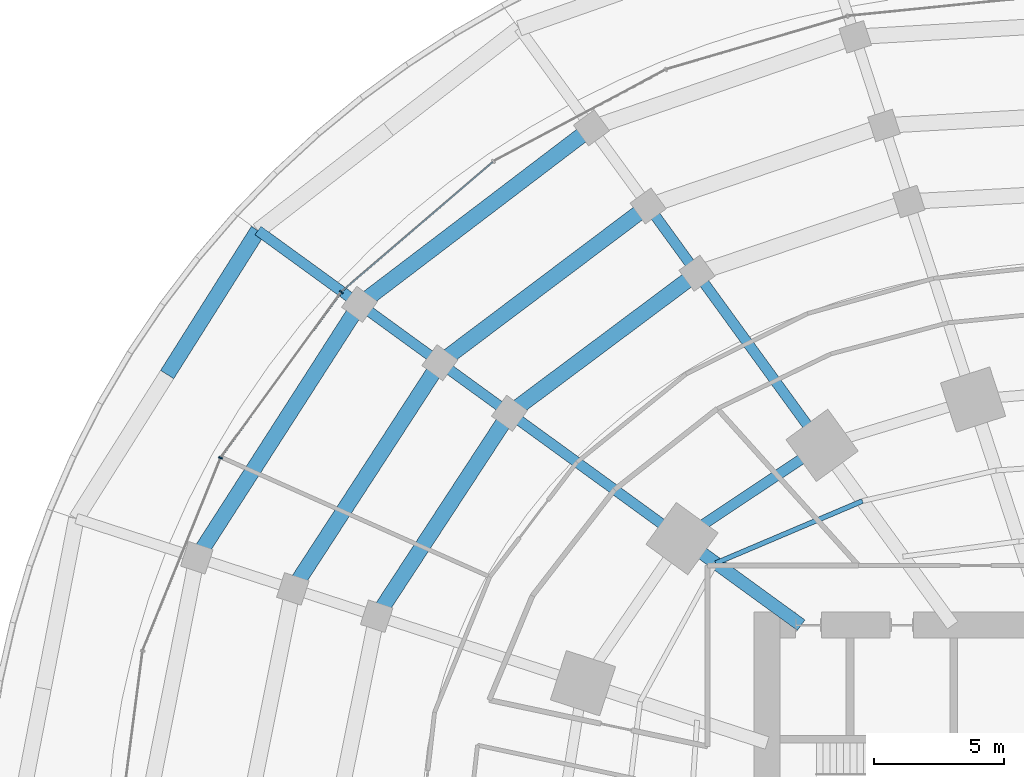
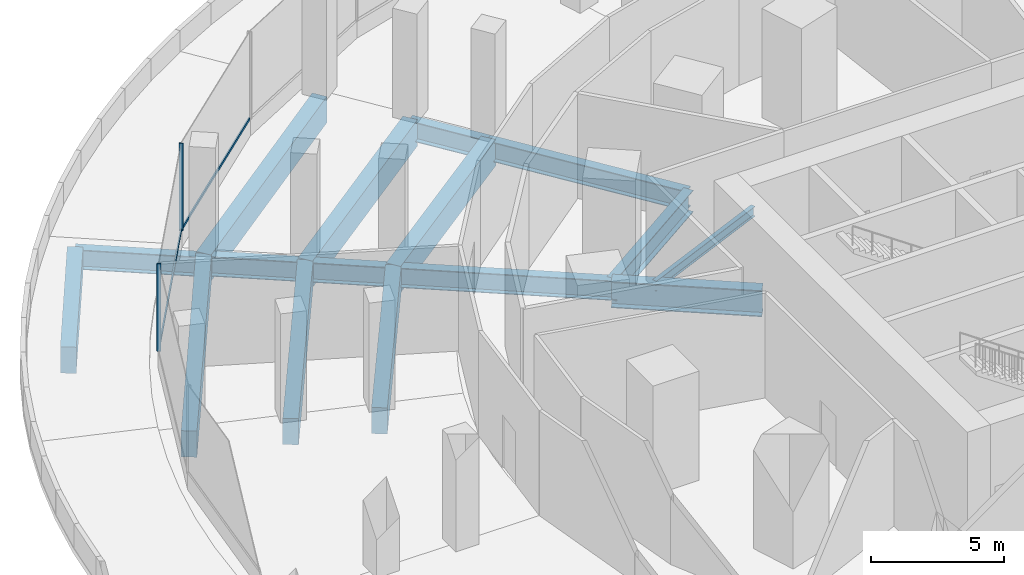
# One storey, part 10 of 31: 16 beams, 4 members, 1 element without a shape of its own.
"""IFC4 building model written with IfcOpenShell, lengths in metres."""

from ifc_helpers import new_model, si_unit, direction, frame, origin, origin_2d, place, context, subcontext, project, spatial, rectangle, i_section, extrude, material, material_profile, profile_set, type_object, element, aggregate, save


model = new_model("IFC4")

# Units and contexts
model_context = context("Model", 3, precision=1e-05, world=origin(), true_north=direction((0.0, 1.0)))
body_context = subcontext(model_context, "Body", "Model", "MODEL_VIEW")
ifc_project = project(units=[si_unit("LENGTHUNIT", "METRE"), si_unit("AREAUNIT", "SQUARE_METRE"), si_unit("VOLUMEUNIT", "CUBIC_METRE"), si_unit("PLANEANGLEUNIT", "RADIAN"), si_unit("MASSUNIT", "GRAM", prefix="KILO")], contexts=[model_context])

# Site, building, storey
site_placement = place(None, origin())
site = spatial("IfcSite", under=ifc_project, at=site_placement, CompositionType="ELEMENT")
building_placement = place(site_placement, origin())
building = spatial("IfcBuilding", under=site, at=building_placement, Name="Marramba Exchange Tower", CompositionType="ELEMENT")
storey_placement = place(building_placement, frame((0.0, 0.0, 5.60009765625)))
storey = spatial("IfcBuildingStorey", under=building, at=storey_placement, Name="L01", CompositionType="ELEMENT", Elevation=5.60009765625)

# Beams
ifc_material_1 = material(Name="Concrete N50", Category="concrete")
ifc_material_profile_1 = material_profile(ifc_material_1, rectangle(XDim=0.60009765625, YDim=1.199951171875, at=origin_2d()), Name="RC 600x1200")
ifc_profile_set_1 = profile_set([ifc_material_profile_1], Name="Concrete N50")
beam_type_1 = type_object("IfcBeamType", Name="Edge beam RC 600x1200 N50", PredefinedType="SPANDREL", material=ifc_profile_set_1)
beam_1_placement = place(storey_placement, frame((-33.35205078125, 24.231689453125, -0.85009765625), z_axis=(-0.533457535763, -0.845826848438, 0.0), x_axis=(0.845826848438, -0.533457535763, 0.0)))
element("IfcBeam", 1, at=beam_1_placement, inside=storey, type_object=beam_type_1, Name="Edge beam L01 P0C09 half 1", PredefinedType="SPANDREL", context=body_context, shape_type="SweptSolid", body=[
    extrude(rectangle(XDim=0.60009765625, YDim=1.199951171875, at=origin_2d()), origin(), (0.0, 0.0, 1.0), 6.571533203125),
])
beam_2_placement = place(storey_placement, frame((-20.482666015625, 28.19189453125, -0.800048828125), z_axis=(-0.795801398517, -0.605557705027, 0.0), x_axis=(0.605557705027, -0.795801398517, 0.0)))
element("IfcBeam", 2, at=beam_2_placement, inside=storey, type_object=beam_type_1, Name="Edge beam L01 P1C08", PredefinedType="SPANDREL", context=body_context, shape_type="SweptSolid", body=[
    extrude(rectangle(XDim=0.60009765625, YDim=1.199951171875, at=origin_2d()), origin(), (0.0, 0.0, 1.0), 11.244384765625),
])
beam_3_placement = place(storey_placement, frame((-29.430908203125, 21.3828125, -0.800048828125), z_axis=(-0.540426316599, -0.841391345526, 0.0), x_axis=(0.841391345526, -0.540426316599, 0.0)))
element("IfcBeam", 3, at=beam_3_placement, inside=storey, type_object=beam_type_1, Name="Edge beam L01 P1C09", PredefinedType="SPANDREL", context=body_context, shape_type="SweptSolid", body=[
    extrude(rectangle(XDim=0.60009765625, YDim=1.199951171875, at=origin_2d()), origin(), (0.0, 0.0, 1.0), 11.622802734375),
])
beam_4_placement = place(storey_placement, frame((-18.29443359375, 25.18017578125, -0.800048828125), z_axis=(-0.799014535073, -0.601311710132, 0.0), x_axis=(0.601311710132, -0.799014535073, 0.0)))
element("IfcBeam", 4, at=beam_4_placement, inside=storey, type_object=beam_type_1, Name="Edge beam L01 P2C08", PredefinedType="SPANDREL", context=body_context, shape_type="SweptSolid", body=[
    extrude(rectangle(XDim=0.60009765625, YDim=1.199951171875, at=origin_2d()), origin(), (0.0, 0.0, 1.0), 10.059326171875),
])
beam_5_placement = place(storey_placement, frame((-26.33203125, 19.13134765625, -0.800048828125), z_axis=(-0.544797972412, -0.838567331379, 0.0), x_axis=(0.838567331379, -0.544797972412, 0.0)))
element("IfcBeam", 5, at=beam_5_placement, inside=storey, type_object=beam_type_1, Name="Edge beam L01 P2C09", PredefinedType="SPANDREL", context=body_context, shape_type="SweptSolid", body=[
    extrude(rectangle(XDim=0.60009765625, YDim=1.199951171875, at=origin_2d()), origin(), (0.0, 0.0, 1.0), 10.413330078125),
])
beam_6_placement = place(storey_placement, frame((-16.40869140625, 22.58447265625, -0.800048828125), z_axis=(-0.801143536075, -0.598472250489, 0.0), x_axis=(0.598472250489, -0.801143536075, 0.0)))
element("IfcBeam", 6, at=beam_6_placement, inside=storey, type_object=beam_type_1, Name="Edge beam L01 P3C08", PredefinedType="SPANDREL", context=body_context, shape_type="SweptSolid", body=[
    extrude(rectangle(XDim=0.60009765625, YDim=1.199951171875, at=origin_2d()), origin(), (0.0, 0.0, 1.0), 9.0322265625),
])
beam_7_placement = place(storey_placement, frame((-23.644775390625, 17.178955078125, -0.800048828125), z_axis=(-0.547649213564, -0.836708036822, 0.0), x_axis=(0.836708036822, -0.547649213564, 0.0)))
element("IfcBeam", 7, at=beam_7_placement, inside=storey, type_object=beam_type_1, Name="Edge beam L01 P3C09", PredefinedType="SPANDREL", context=body_context, shape_type="SweptSolid", body=[
    extrude(rectangle(XDim=0.60009765625, YDim=1.199951171875, at=origin_2d()), origin(), (0.0, 0.0, 1.0), 9.359130859375),
])
ifc_material_2 = material(Name="Steel AS/NZS 3679.1 grade 300", Category="steel")
ifc_material_profile_2 = material_profile(ifc_material_2, i_section(OverallWidth=0.18994140625, OverallDepth=0.4541015625, WebThickness=0.008544921875, FlangeThickness=0.0126953125, FilletRadius=0.011474609375, at=origin_2d()), Name="460UB67.1")
ifc_profile_set_2 = profile_set([ifc_material_profile_2], Name="Steel AS/NZS 3679.1 grade 300")
beam_type_2 = type_object("IfcBeamType", Name="Floor joist 460UB67.1", PredefinedType="JOIST", material=ifc_profile_set_2)
beam_8_placement = place(storey_placement, frame((-10.021728515625, 13.793701171875, -0.427001953125), z_axis=(-0.920674336375, -0.390331610738, 0.0), x_axis=(0.390331610738, -0.920674336375, 0.0)))
element("IfcBeam", 8, at=beam_8_placement, inside=storey, type_object=beam_type_2, Name="Joist L01 bay 08 row 2", PredefinedType="JOIST", context=body_context, shape_type="SweptSolid", body=[
    extrude(i_section(OverallWidth=0.18994140625, OverallDepth=0.4541015625, WebThickness=0.008544921875, FlangeThickness=0.0126953125, FilletRadius=0.011474609375, at=origin_2d()), origin(), (0.0, 0.0, 1.0), 6.1484375),
])

# Curtain wall, members
ifc_material_3 = material(Name="Aluminium framing, bronze anodised", Category="aluminium")
curtain_wall_type = type_object("IfcCurtainWallType", Name="Podium ribbon curtain wall", PredefinedType="USERDEFINED", material=ifc_material_3)
curtain_wall_placement = place(storey_placement, origin())
curtain_wall = element("IfcCurtainWall", 9, at=curtain_wall_placement, inside=storey, type_object=curtain_wall_type, Name="Curtain wall CW2 L01 F11-F15", ObjectType="RIBBON CURTAIN WALL", PredefinedType="USERDEFINED")
ifc_material_4 = material(Name="Aluminium mullion, bronze anodised", Category="aluminium")
ifc_material_profile_3 = material_profile(ifc_material_4, rectangle(XDim=0.159912109375, YDim=0.06005859375, at=origin_2d()), Name="CW2 mullion 60x160")
ifc_profile_set_3 = profile_set([ifc_material_profile_3], Name="Aluminium mullion, bronze anodised")
member_type_1 = type_object("IfcMemberType", Name="Podium ribbon curtain wall mullion", PredefinedType="MULLION", material=ifc_profile_set_3)
member_1_placement = place(storey_placement, frame((-30.13623046875, 21.858154296875, 0.7998046875), z_axis=(0.0, 0.0, 1.0), x_axis=(0.808099827642, -0.589045557291, 0.0)))
member_1 = element("IfcMember", 10, at=member_1_placement, type_object=member_type_1, Name="CW2 mullion 1", PredefinedType="MULLION", context=body_context, shape_type="SweptSolid", body=[
    extrude(rectangle(XDim=0.159912109375, YDim=0.06005859375, at=origin_2d()), origin(), (0.0, 0.0, 1.0), 4.0),
])
member_2_placement = place(storey_placement, frame((-34.79248046875, 15.457763671875, 0.7998046875), z_axis=(0.0, 0.0, 1.0), x_axis=(0.926768984603, -0.375631800009, 0.0)))
member_2 = element("IfcMember", 11, at=member_2_placement, type_object=member_type_1, Name="CW2 mullion 1", PredefinedType="MULLION", context=body_context, shape_type="SweptSolid", body=[
    extrude(rectangle(XDim=0.159912109375, YDim=0.06005859375, at=origin_2d()), origin(), (0.0, 0.0, 1.0), 4.0),
])
ifc_material_5 = material(Name="Aluminium transom, bronze anodised", Category="aluminium")
ifc_material_profile_4 = material_profile(ifc_material_5, rectangle(XDim=0.06005859375, YDim=0.1201171875, at=origin_2d()), Name="CW2 transom 60x120")
ifc_profile_set_4 = profile_set([ifc_material_profile_4], Name="Aluminium transom, bronze anodised")
member_type_2 = type_object("IfcMemberType", Name="Podium ribbon curtain wall transom", PredefinedType="USERDEFINED", material=ifc_profile_set_4)
member_3_placement = place(storey_placement, frame((-24.284423828125, 26.881103515625, 0.829833984375), z_axis=(-0.759370992022, -0.650657895115, 0.0), x_axis=(0.650657895115, -0.759370992022, 0.0)))
member_3 = element("IfcMember", 12, at=member_3_placement, type_object=member_type_2, Name="CW2 sill transom", ObjectType="TRANSOM", PredefinedType="USERDEFINED", context=body_context, shape_type="SweptSolid", body=[
    extrude(rectangle(XDim=0.06005859375, YDim=0.1201171875, at=origin_2d()), origin(), (0.0, 0.0, 1.0), 7.6826171875),
])
member_4_placement = place(storey_placement, frame((-30.15380859375, 21.833984375, 0.829833984375), z_axis=(-0.589039844108, -0.808103992104, 0.0), x_axis=(0.808103992104, -0.589039844108, 0.0)))
member_4 = element("IfcMember", 13, at=member_4_placement, type_object=member_type_2, Name="CW2 sill transom", ObjectType="TRANSOM", PredefinedType="USERDEFINED", context=body_context, shape_type="SweptSolid", body=[
    extrude(rectangle(XDim=0.06005859375, YDim=0.1201171875, at=origin_2d()), origin(), (0.0, 0.0, 1.0), 7.85595703125),
])
aggregate(curtain_wall, [member_3, member_1, member_4, member_2])

# Beams
ifc_material_6 = material(Name="Steel AS/NZS 3679.2 grade 300", Category="steel")
ifc_material_profile_5 = material_profile(ifc_material_6, i_section(OverallWidth=0.5, OverallDepth=1.199951171875, WebThickness=0.01611328125, FlangeThickness=0.0400390625, at=origin_2d()), Name="1200WB455")
ifc_profile_set_5 = profile_set([ifc_material_profile_5], Name="Steel AS/NZS 3679.2 grade 300")
beam_type_3 = type_object("IfcBeamType", Name="Radial girder 1200WB455", PredefinedType="BEAM", material=ifc_profile_set_5)
beam_9_placement = place(storey_placement, frame((-12.387451171875, 9.0, -0.800048828125), z_axis=(-0.809025746925, 0.587773205252, 0.0), x_axis=(-0.587773205252, -0.809025746925, 0.0)))
element("IfcBeam", 14, at=beam_9_placement, inside=storey, type_object=beam_type_3, Name="Radial girder L01 TC09", PredefinedType="BEAM", context=body_context, shape_type="SweptSolid", body=[
    extrude(i_section(OverallWidth=0.5, OverallDepth=1.199951171875, WebThickness=0.01611328125, FlangeThickness=0.0400390625, at=origin_2d()), origin(), (0.0, 0.0, 1.0), 5.683837890625),
])
ifc_material_profile_6 = material_profile(ifc_material_6, i_section(OverallWidth=0.39990234375, OverallDepth=0.89990234375, WebThickness=0.01611328125, FlangeThickness=0.031982421875, at=origin_2d()), Name="900WB282")
ifc_profile_set_6 = profile_set([ifc_material_profile_6], Name="Steel AS/NZS 3679.2 grade 300")
beam_type_4 = type_object("IfcBeamType", Name="Radial girder 900WB282", PredefinedType="BEAM", material=ifc_profile_set_6)
beam_10_placement = place(storey_placement, frame((-33.35205078125, 24.231689453125, -0.7001953125), z_axis=(0.809016983411, -0.587785267382, 0.0), x_axis=(0.587785267382, 0.809016983411, 0.0)))
element("IfcBeam", 15, at=beam_10_placement, inside=storey, type_object=beam_type_4, Name="Radial girder L01 P0C09", PredefinedType="BEAM", context=body_context, shape_type="SweptSolid", body=[
    extrude(i_section(OverallWidth=0.39990234375, OverallDepth=0.89990234375, WebThickness=0.01611328125, FlangeThickness=0.031982421875, at=origin_2d()), origin(), (0.0, 0.0, 1.0), 4.8466796875),
])
beam_11_placement = place(storey_placement, frame((-29.430908203125, 21.3828125, -0.650146484375), z_axis=(0.809017124945, -0.587785072579, 0.0), x_axis=(0.587785072579, 0.809017124945, 0.0)))
element("IfcBeam", 16, at=beam_11_placement, inside=storey, type_object=beam_type_4, Name="Radial girder L01 P1C09", PredefinedType="BEAM", context=body_context, shape_type="SweptSolid", body=[
    extrude(i_section(OverallWidth=0.39990234375, OverallDepth=0.89990234375, WebThickness=0.01611328125, FlangeThickness=0.031982421875, at=origin_2d()), origin(), (0.0, 0.0, 1.0), 3.830322265625),
])
beam_12_placement = place(storey_placement, frame((-18.29443359375, 25.18017578125, -0.650146484375), z_axis=(0.587755361263, -0.809038710635, 0.0), x_axis=(0.809038710635, 0.587755361263, 0.0)))
element("IfcBeam", 17, at=beam_12_placement, inside=storey, type_object=beam_type_4, Name="Radial girder L01 P2C08", PredefinedType="BEAM", context=body_context, shape_type="SweptSolid", body=[
    extrude(i_section(OverallWidth=0.39990234375, OverallDepth=0.89990234375, WebThickness=0.01611328125, FlangeThickness=0.031982421875, at=origin_2d()), origin(), (0.0, 0.0, 1.0), 3.20849609375),
])
beam_13_placement = place(storey_placement, frame((-26.33203125, 19.13134765625, -0.650146484375), z_axis=(0.809018867973, -0.587782673497, 0.0), x_axis=(0.587782673497, 0.809018867973, 0.0)))
element("IfcBeam", 18, at=beam_13_placement, inside=storey, type_object=beam_type_4, Name="Radial girder L01 P2C09", PredefinedType="BEAM", context=body_context, shape_type="SweptSolid", body=[
    extrude(i_section(OverallWidth=0.39990234375, OverallDepth=0.89990234375, WebThickness=0.01611328125, FlangeThickness=0.031982421875, at=origin_2d()), origin(), (0.0, 0.0, 1.0), 3.321533203125),
])
beam_14_placement = place(storey_placement, frame((-16.40869140625, 22.58447265625, -0.650146484375), z_axis=(0.587802211643, -0.809004672414, 0.0), x_axis=(0.809004672414, 0.587802211643, 0.0)))
element("IfcBeam", 19, at=beam_14_placement, inside=storey, type_object=beam_type_4, Name="Radial girder L01 P3C08", PredefinedType="BEAM", context=body_context, shape_type="SweptSolid", body=[
    extrude(i_section(OverallWidth=0.39990234375, OverallDepth=0.89990234375, WebThickness=0.01611328125, FlangeThickness=0.031982421875, at=origin_2d()), origin(), (0.0, 0.0, 1.0), 8.212646484375),
])
beam_15_placement = place(storey_placement, frame((-23.644775390625, 17.178955078125, -0.650146484375), z_axis=(0.80900920075, -0.587795979148, 0.0), x_axis=(0.587795979148, 0.80900920075, 0.0)))
element("IfcBeam", 20, at=beam_15_placement, inside=storey, type_object=beam_type_4, Name="Radial girder L01 P3C09", PredefinedType="BEAM", context=body_context, shape_type="SweptSolid", body=[
    extrude(i_section(OverallWidth=0.39990234375, OverallDepth=0.89990234375, WebThickness=0.01611328125, FlangeThickness=0.031982421875, at=origin_2d()), origin(), (0.0, 0.0, 1.0), 8.23095703125),
])
ifc_material_profile_7 = material_profile(ifc_material_6, i_section(OverallWidth=0.39990234375, OverallDepth=1.0, WebThickness=0.01611328125, FlangeThickness=0.031982421875, at=origin_2d()), Name="1000WB322")
ifc_profile_set_7 = profile_set([ifc_material_profile_7], Name="Steel AS/NZS 3679.2 grade 300")
beam_type_5 = type_object("IfcBeamType", Name="Ring beam 1000WB322", PredefinedType="SPANDREL", material=ifc_profile_set_7)
beam_16_placement = place(storey_placement, frame((-11.581298828125, 15.9404296875, -0.7001953125), z_axis=(-0.832293151443, -0.554335737673, 0.0), x_axis=(0.554335737673, -0.832293151443, 0.0)))
element("IfcBeam", 21, at=beam_16_placement, inside=storey, type_object=beam_type_5, Name="Ring beam L01 TC08-TC09", PredefinedType="SPANDREL", context=body_context, shape_type="SweptSolid", body=[
    extrude(i_section(OverallWidth=0.39990234375, OverallDepth=1.0, WebThickness=0.01611328125, FlangeThickness=0.031982421875, at=origin_2d()), origin(), (0.0, 0.0, 1.0), 6.49365234375),
])

save(model, "model.ifc")
